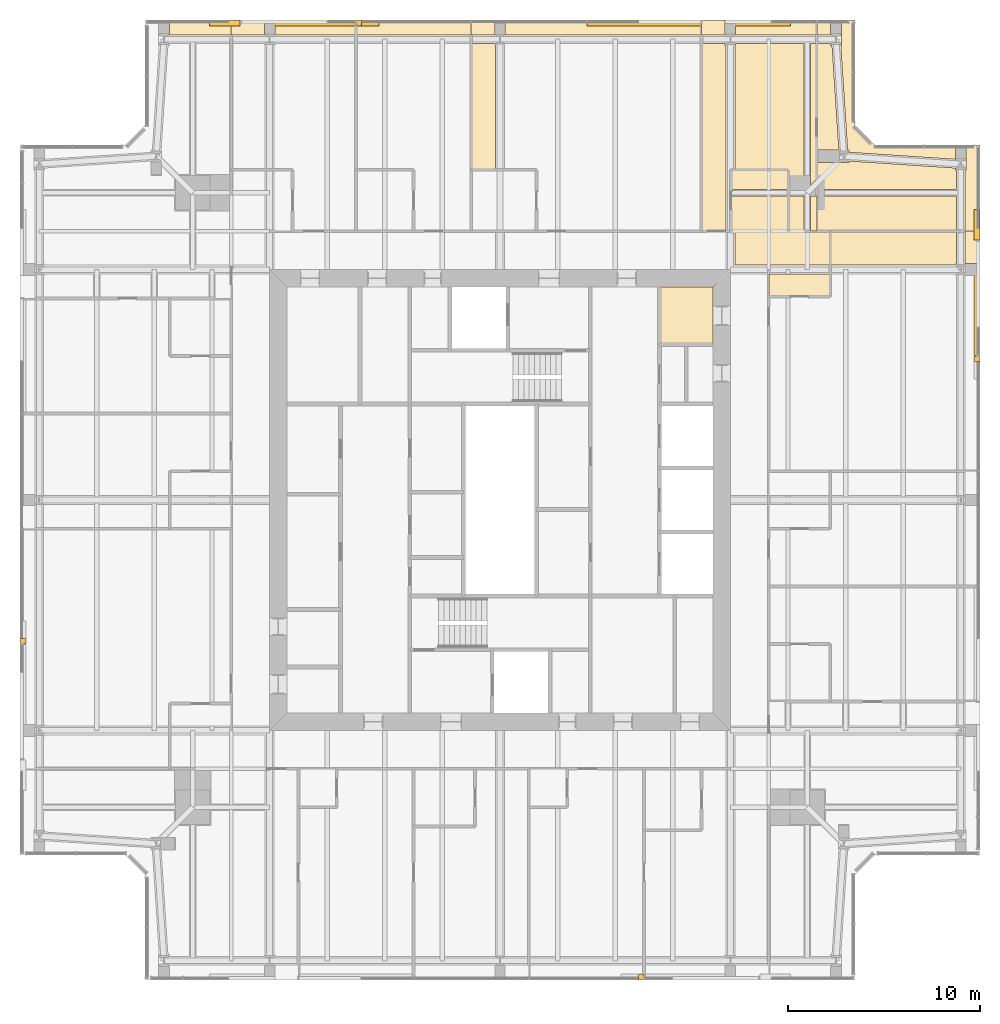
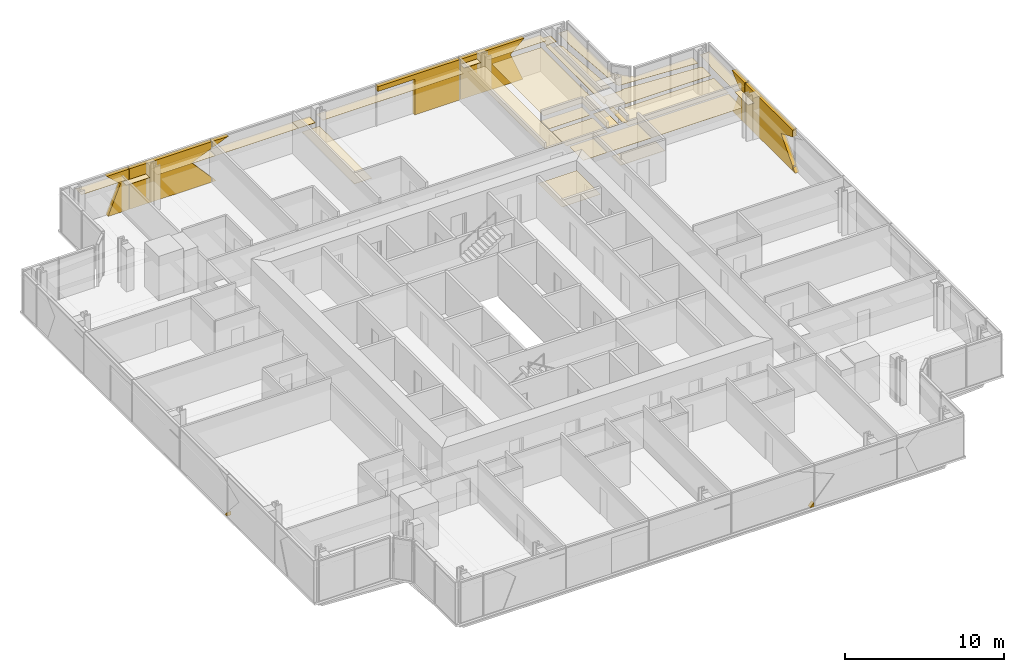
# One storey, part 18 of 18: 39 coverings.
"""IFC4 building model written with IfcOpenShell, lengths in metres."""

import ifcopenshell
import ifcopenshell.guid

model = None  # the IFC model being written
_history = None  # IfcOwnerHistory: only IFC2X3 demands one
_inside = {}  # id of a spatial element -> (the spatial element, [elements in it])
_under = {}  # id of a project, library or spatial element -> (it, [spatial elements below it])
_declared = {}  # id of a project -> (the project, [libraries it declares])
_typed = {}  # id of a type object -> (the type object, [elements of that type])
_made_of = {}  # id of a material, layer set ... -> (it, [elements and type objects made of it])


def new_model(schema):
    """Start an empty IFC model of exactly this schema.

    Asked for "IFC4X3", IfcOpenShell would pick the latest addendum, in which some entities
    have other attributes; the version numbers below select the first issue.
    IFC2X3 requires an IfcOwnerHistory on every rooted entity: one is made here for all.
    """
    global model, _history
    if schema == "IFC4X3":
        model = ifcopenshell.file(schema_version=(4, 3, 0, 0))
    else:
        model = ifcopenshell.file(schema=schema)
    _inside.clear()
    _under.clear()
    _declared.clear()
    _typed.clear()
    _made_of.clear()
    _history = None
    if model.schema == "IFC2X3":
        org = make("IfcOrganization", Name="unknown")
        user = make(
            "IfcPersonAndOrganization",
            ThePerson=make("IfcPerson", FamilyName="unknown"),
            TheOrganization=org,
        )
        app = make(
            "IfcApplication",
            ApplicationDeveloper=org,
            Version="unknown",
            ApplicationFullName="unknown",
            ApplicationIdentifier="unknown",
        )
        _history = make(
            "IfcOwnerHistory",
            OwningUser=user,
            OwningApplication=app,
            ChangeAction="ADDED",
            CreationDate=0,
        )
    return model


def make(cls, **values):
    """One entity of the class cls with the attributes given. An attribute that is None is left unset."""
    return model.create_entity(
        cls, **{name: value for name, value in values.items() if value is not None}
    )


def rooted(cls, **values):
    """An entity with a GlobalId (a new one), such as an element, a storey or a relation."""
    return make(cls, GlobalId=ifcopenshell.guid.new(), OwnerHistory=_history, **values)


def si_unit(unit_type, name, prefix=None):
    """IfcSIUnit, for example si_unit("LENGTHUNIT", "METRE", prefix="MILLI")."""
    return make("IfcSIUnit", UnitType=unit_type, Prefix=prefix, Name=name)


def assignment(units):
    """IfcUnitAssignment: the units of a project."""
    return None if units is None else make("IfcUnitAssignment", Units=units)


def point(xyz):
    """IfcCartesianPoint."""
    return None if xyz is None else make("IfcCartesianPoint", Coordinates=xyz)


def direction(xyz):
    """IfcDirection."""
    return None if xyz is None else make("IfcDirection", DirectionRatios=xyz)


def frame(location, z_axis=None, x_axis=None):
    """IfcAxis2Placement3D, a coordinate frame: its origin and axes. An axis left out is left unset."""
    return make(
        "IfcAxis2Placement3D",
        Location=point(location),
        Axis=direction(z_axis),
        RefDirection=direction(x_axis),
    )


def origin():
    """The frame at (0, 0, 0) with its axes left unset."""
    return frame((0.0, 0.0, 0.0))


def place(relative_to, where):
    """IfcLocalPlacement: puts the frame where relative to a parent placement (None: the world)."""
    return make(
        "IfcLocalPlacement", PlacementRelTo=relative_to, RelativePlacement=where
    )


def context(
    kind, dimensions, precision=None, world=None, true_north=None, identifier=None
):
    """IfcGeometricRepresentationContext, for example the 3D "Model" context."""
    return make(
        "IfcGeometricRepresentationContext",
        ContextIdentifier=identifier,
        ContextType=kind,
        CoordinateSpaceDimension=dimensions,
        Precision=precision,
        WorldCoordinateSystem=world,
        TrueNorth=true_north,
    )


def subcontext(parent, identifier, kind, view, scale=None):
    """IfcGeometricRepresentationSubContext, for example "Body" below "Model"."""
    return make(
        "IfcGeometricRepresentationSubContext",
        ContextIdentifier=identifier,
        ContextType=kind,
        ParentContext=parent,
        TargetScale=scale,
        TargetView=view,
    )


def project(units=None, contexts=None):
    """IfcProject with its units and contexts."""
    return rooted(
        "IfcProject",
        Name="project",
        RepresentationContexts=contexts,
        UnitsInContext=assignment(units),
    )


def spatial(cls, under=None, at=None, **own):
    """A site, building, storey or space (cls), placed at a placement, below another one or the project."""
    s = rooted(cls, ObjectPlacement=at, **own)
    if under is not None:
        _under.setdefault(under.id(), (under, []))[1].append(s)
    return s


def polyline(points):
    """IfcPolyline through the points."""
    return make("IfcPolyline", Points=[point(p) for p in points])


def outline(outer, holes=None, kind="AREA"):
    """IfcArbitraryClosedProfileDef: a profile drawn as a closed curve; with holes, ...WithVoids."""
    if holes is None:
        return make("IfcArbitraryClosedProfileDef", ProfileType=kind, OuterCurve=outer)
    return make(
        "IfcArbitraryProfileDefWithVoids",
        ProfileType=kind,
        OuterCurve=outer,
        InnerCurves=holes,
    )


def extrude(swept, where, along, depth):
    """IfcExtrudedAreaSolid: the profile swept, set in the frame where, extruded along a direction by depth."""
    return make(
        "IfcExtrudedAreaSolid",
        SweptArea=swept,
        Position=where,
        ExtrudedDirection=direction(along),
        Depth=depth,
    )


def shape(context_of_items, identifier, shape_type, items):
    """IfcShapeRepresentation: the items that make up one representation, for example the "Body"."""
    return make(
        "IfcShapeRepresentation",
        ContextOfItems=context_of_items,
        RepresentationIdentifier=identifier,
        RepresentationType=shape_type,
        Items=items,
    )


def material(Name=None, Category=None):
    """IfcMaterial."""
    return make("IfcMaterial", Name=Name, Category=Category)


def layer(
    of_material, thickness, ventilated=None, Name=None, Category=None, Priority=None
):
    """IfcMaterialLayer: one layer of a wall or slab, of a material (None: an air gap)."""
    return make(
        "IfcMaterialLayer",
        Material=of_material,
        LayerThickness=thickness,
        IsVentilated=ventilated,
        Name=Name,
        Category=Category,
        Priority=Priority,
    )


def layer_set(layers, Name=None):
    """IfcMaterialLayerSet."""
    return make("IfcMaterialLayerSet", MaterialLayers=layers, LayerSetName=Name)


def made_of(thing, what):
    """Note that an element or type object is made of a material, layer set ...; save() writes the relation."""
    if what is not None:
        _made_of.setdefault(what.id(), (what, []))[1].append(thing)
    return thing


def type_object(cls, material=None, **own):
    """A type object (cls), such as IfcWallType, which elements share."""
    return made_of(rooted(cls, **own), material)


def element(
    cls,
    number,
    at=None,
    inside=None,
    cuts=None,
    type_object=None,
    material=None,
    context=None,
    identifier="Body",
    shape_type=None,
    held_by="IfcProductDefinitionShape",
    body=None,
    shapes=None,
    **own,
):
    """One element of the class cls, such as IfcWall. Its Tag is "e" and its number.

    at: its placement. inside: the storey or other place that contains it. cuts: it is an
    opening in that element (IfcRelVoidsElement). A single representation is given by context,
    identifier, shape_type and body (its items); several are given by shapes. held_by: the class
    of the entity that holds the representations. save() writes the other relations.
    """
    e = rooted(cls, Tag="e%d" % number, ObjectPlacement=at, **own)
    if body is not None:
        shapes = [shape(context, identifier, shape_type, body)]
    if shapes is not None:
        e.Representation = make(held_by, Representations=shapes)
    if inside is not None:
        _inside.setdefault(inside.id(), (inside, []))[1].append(e)
    if cuts is not None:
        rooted(
            "IfcRelVoidsElement", RelatingBuildingElement=cuts, RelatedOpeningElement=e
        )
    if type_object is not None:
        _typed.setdefault(type_object.id(), (type_object, []))[1].append(e)
    return made_of(e, material)


def aggregate(whole, parts):
    """IfcRelAggregates: a whole, such as a stair, and the parts it consists of."""
    return rooted("IfcRelAggregates", RelatingObject=whole, RelatedObjects=parts)


def save(model, path):
    """Write the relations noted so far, then the file.

    IfcRelAggregates (storeys below a building ...), IfcRelContainedInSpatialStructure (elements
    in a storey), IfcRelDefinesByType, IfcRelAssociatesMaterial and IfcRelDeclares: one each for
    every whole, place, type object, material and project.
    """
    for whole, parts in _under.values():
        aggregate(whole, parts)
    for where, things in _inside.values():
        rooted(
            "IfcRelContainedInSpatialStructure",
            RelatedElements=things,
            RelatingStructure=where,
        )
    for kind, things in _typed.values():
        rooted("IfcRelDefinesByType", RelatedObjects=things, RelatingType=kind)
    for what, things in _made_of.values():
        rooted("IfcRelAssociatesMaterial", RelatedObjects=things, RelatingMaterial=what)
    for by, libraries in _declared.values():
        rooted("IfcRelDeclares", RelatingContext=by, RelatedDefinitions=libraries)
    model.write(path)


model = new_model("IFC4")

# Units and contexts
model_context = context("Model", 3, precision=1e-05, world=origin(), true_north=direction((0.0, 1.0)))
body_context = subcontext(model_context, "Body", "Model", "MODEL_VIEW")
ifc_project = project(units=[si_unit("LENGTHUNIT", "METRE"), si_unit("AREAUNIT", "SQUARE_METRE"), si_unit("VOLUMEUNIT", "CUBIC_METRE"), si_unit("PLANEANGLEUNIT", "RADIAN"), si_unit("MASSUNIT", "GRAM", prefix="KILO")], contexts=[model_context])

# Site, building, storey
site_placement = place(None, origin())
site = spatial("IfcSite", under=ifc_project, at=site_placement, CompositionType="ELEMENT")
building_placement = place(site_placement, origin())
building = spatial("IfcBuilding", under=site, at=building_placement, Name="Fenwick Lantern Interchange", CompositionType="ELEMENT")
storey_placement = place(building_placement, frame((0.0, 0.0, 293.39990234375)))
storey = spatial("IfcBuildingStorey", under=building, at=storey_placement, Name="L71", CompositionType="ELEMENT", Elevation=293.39990234375)

# Coverings
ifc_material_1 = material(Name="Granite cladding, warm grey flamed finish, on aluminium carrier frame", Category="masonry")
ifc_layer_1 = layer(ifc_material_1, 0.300048828125)
ifc_layer_set_1 = layer_set([ifc_layer_1], Name="BRACE CASING PANEL 300")
covering_type_1 = type_object("IfcCoveringType", Name="BRACE CASING PANEL 300", PredefinedType="CLADDING", material=ifc_layer_set_1)
for number, where, z_axis, x_axis, name in (
    (1, (6.60009765625, 0.10009765625, 0.0), (0.0, 0.0, 1.0), (1.0, 0.0, 0.0), "Brace casing 01 bay 04b"),
    (2, (49.89990234375, 6.60009765625, 0.0), (0.0, 0.0, 1.0), (0.0, 1.0, 0.0), "Brace casing 05 bay 04b"),
):
    element("IfcCovering", number, at=place(storey_placement, frame(where, z_axis=z_axis, x_axis=x_axis)), inside=storey, type_object=covering_type_1, Name=name, PredefinedType="CLADDING", context=body_context, shape_type="SweptSolid", body=[
        extrude(outline(polyline([(25.6064453125, 0.0), (25.8701171875, 0.0), (25.8701171875, 0.296142578125), (25.6064453125, 0.0)])), frame((0.0, 0.2099609375, 0.0), z_axis=(0.0, -1.0, 0.0), x_axis=(1.0, 0.0, 0.0)), (0.0, 0.0, 1.0), 0.300048828125),
    ])
covering_1_placement = place(storey_placement, frame((49.89990234375, 6.60009765625, 0.0), z_axis=(0.0, 0.0, 1.0), x_axis=(0.0, 1.0, 0.0)))
element("IfcCovering", 3, at=covering_1_placement, inside=storey, type_object=covering_type_1, Name="Brace casing 05 bay 05a", PredefinedType="CLADDING", context=body_context, shape_type="SweptSolid", body=[
    extrude(outline(polyline([(25.929931640625, 0.0), (31.8701171875, 0.0), (31.8701171875, 3.10009765625), (25.929931640625, 3.10009765625), (25.929931640625, 2.591552734375), (27.37646484375, 1.989013671875), (25.929931640625, 0.363525390625), (25.929931640625, 0.0)])), frame((0.0, 0.2099609375, 0.0), z_axis=(0.0, -1.0, 0.0), x_axis=(1.0, 0.0, 0.0)), (0.0, 0.0, 1.0), 0.300048828125),
])
covering_2_placement = place(storey_placement, frame((49.89990234375, 6.60009765625, 0.0), z_axis=(0.0, 0.0, 1.0), x_axis=(0.0, 1.0, 0.0)))
element("IfcCovering", 4, at=covering_2_placement, inside=storey, type_object=covering_type_1, Name="Brace casing 05 bay 06a", PredefinedType="CLADDING", context=body_context, shape_type="SweptSolid", body=[
    extrude(outline(polyline([(31.929931640625, 0.0), (33.4365234375, 0.0), (32.5419921875, 2.193603515625), (33.5390625, 3.10009765625), (31.929931640625, 3.10009765625), (31.929931640625, 0.0)])), frame((0.0, 0.2099609375, 0.0), z_axis=(0.0, -1.0, 0.0), x_axis=(1.0, 0.0, 0.0)), (0.0, 0.0, 1.0), 0.300048828125),
])
covering_3_placement = place(storey_placement, frame((43.39990234375, 49.89990234375, 0.0), z_axis=(0.0, 0.0, 1.0), x_axis=(-1.0, 0.0, 0.0)))
element("IfcCovering", 5, at=covering_3_placement, inside=storey, type_object=covering_type_1, Name="Brace casing 09 bay 01a", PredefinedType="CLADDING", context=body_context, shape_type="SweptSolid", body=[
    extrude(outline(polyline([(3.36328125, 0.0), (7.8701171875, 0.0), (7.8701171875, 3.10009765625), (3.260986328125, 3.10009765625), (4.258056640625, 2.193603515625), (3.36328125, 0.0)])), frame((0.0, 0.2099609375, 0.0), z_axis=(0.0, -1.0, 0.0), x_axis=(1.0, 0.0, 0.0)), (0.0, 0.0, 1.0), 0.300048828125),
])
covering_4_placement = place(storey_placement, frame((43.39990234375, 49.89990234375, 0.0), z_axis=(0.0, 0.0, 1.0), x_axis=(-1.0, 0.0, 0.0)))
element("IfcCovering", 6, at=covering_4_placement, inside=storey, type_object=covering_type_1, Name="Brace casing 09 bay 02a", PredefinedType="CLADDING", context=body_context, shape_type="SweptSolid", body=[
    extrude(outline(polyline([(7.929931640625, 0.0), (11.193603515625, 0.0), (11.193603515625, 2.7265625), (13.8701171875, 2.7265625), (13.8701171875, 3.10009765625), (7.929931640625, 3.10009765625), (7.929931640625, 0.0)])), frame((0.0, 0.2099609375, 0.0), z_axis=(0.0, -1.0, 0.0), x_axis=(1.0, 0.0, 0.0)), (0.0, 0.0, 1.0), 0.300048828125),
])
covering_5_placement = place(storey_placement, frame((43.39990234375, 49.89990234375, 2.61669921875), z_axis=(0.0, 0.0, 1.0), x_axis=(-1.0, 0.0, 0.0)))
element("IfcCovering", 7, at=covering_5_placement, inside=storey, type_object=covering_type_1, Name="Brace casing 09 bay 04a", PredefinedType="CLADDING", context=body_context, shape_type="SweptSolid", body=[
    extrude(outline(polyline([(25.8701171875, 0.0), (25.8701171875, 0.4833984375), (24.709716796875, 0.4833984375), (25.8701171875, 0.0)])), frame((0.0, 0.2099609375, 0.0), z_axis=(0.0, -1.0, 0.0), x_axis=(1.0, 0.0, 0.0)), (0.0, 0.0, 1.0), 0.300048828125),
])
covering_6_placement = place(storey_placement, frame((43.39990234375, 49.89990234375, 0.0), z_axis=(0.0, 0.0, 1.0), x_axis=(-1.0, 0.0, 0.0)))
element("IfcCovering", 8, at=covering_6_placement, inside=storey, type_object=covering_type_1, Name="Brace casing 09 bay 04b", PredefinedType="CLADDING", context=body_context, shape_type="SweptSolid", body=[
    extrude(outline(polyline([(25.6064453125, 0.0), (25.8701171875, 0.0), (25.8701171875, 0.296142578125), (25.6064453125, 0.0)])), frame((0.0, 0.2099609375, 0.0), z_axis=(0.0, -1.0, 0.0), x_axis=(1.0, 0.0, 0.0)), (0.0, 0.0, 1.0), 0.300048828125),
])
covering_7_placement = place(storey_placement, frame((43.39990234375, 49.89990234375, 0.0), z_axis=(0.0, 0.0, 1.0), x_axis=(-1.0, 0.0, 0.0)))
element("IfcCovering", 9, at=covering_7_placement, inside=storey, type_object=covering_type_1, Name="Brace casing 09 bay 05a", PredefinedType="CLADDING", context=body_context, shape_type="SweptSolid", body=[
    extrude(outline(polyline([(25.929931640625, 0.0), (31.8701171875, 0.0), (31.8701171875, 3.10009765625), (25.929931640625, 3.10009765625), (25.929931640625, 2.591552734375), (27.37646484375, 1.989013671875), (25.929931640625, 0.363525390625), (25.929931640625, 0.0)])), frame((0.0, 0.2099609375, 0.0), z_axis=(0.0, -1.0, 0.0), x_axis=(1.0, 0.0, 0.0)), (0.0, 0.0, 1.0), 0.300048828125),
])
covering_8_placement = place(storey_placement, frame((43.39990234375, 49.89990234375, 0.0), z_axis=(0.0, 0.0, 1.0), x_axis=(-1.0, 0.0, 0.0)))
element("IfcCovering", 10, at=covering_8_placement, inside=storey, type_object=covering_type_1, Name="Brace casing 09 bay 06a", PredefinedType="CLADDING", context=body_context, shape_type="SweptSolid", body=[
    extrude(outline(polyline([(31.929931640625, 0.0), (33.4365234375, 0.0), (32.5419921875, 2.193603515625), (33.5390625, 3.10009765625), (31.929931640625, 3.10009765625), (31.929931640625, 0.0)])), frame((0.0, 0.2099609375, 0.0), z_axis=(0.0, -1.0, 0.0), x_axis=(1.0, 0.0, 0.0)), (0.0, 0.0, 1.0), 0.300048828125),
])
covering_9_placement = place(storey_placement, frame((0.10009765625, 43.39990234375, 0.0), z_axis=(0.0, 0.0, 1.0), x_axis=(0.0, -1.0, 0.0)))
element("IfcCovering", 11, at=covering_9_placement, inside=storey, type_object=covering_type_1, Name="Brace casing 13 bay 04b", PredefinedType="CLADDING", context=body_context, shape_type="SweptSolid", body=[
    extrude(outline(polyline([(25.6064453125, 0.0), (25.8701171875, 0.0), (25.8701171875, 0.296142578125), (25.6064453125, 0.0)])), frame((0.0, 0.2099609375, 0.0), z_axis=(0.0, -1.0, 0.0), x_axis=(1.0, 0.0, 0.0)), (0.0, 0.0, 1.0), 0.300048828125),
])
ifc_material_2 = material(Name="Moisture resistant gypsum board on suspended frame, painted")
ifc_layer_2 = layer(ifc_material_2, 0.014892578125)
ifc_layer_set_2 = layer_set([ifc_layer_2], Name="MOISTURE RESISTANT CEILING 15")
covering_type_2 = type_object("IfcCoveringType", Name="MOISTURE RESISTANT CEILING 15", PredefinedType="CEILING", material=ifc_layer_set_2)
covering_10_placement = place(storey_placement, frame((0.0, 0.0, 2.60009765625)))
element("IfcCovering", 12, at=covering_10_placement, inside=storey, type_object=covering_type_2, Name="Accessible WC ceiling", PredefinedType="CEILING", context=body_context, shape_type="SweptSolid", body=[
    extrude(outline(polyline([(36.10009765625, 36.10009765625), (33.300048828125, 36.10009765625), (33.300048828125, 33.10009765625), (36.10009765625, 33.10009765625), (36.10009765625, 36.10009765625)])), origin(), (0.0, 0.0, 1.0), 0.014892578125),
])
covering_11_placement = place(storey_placement, frame((0.0, 0.0, 2.289306640625)))
element("IfcCovering", 13, at=covering_11_placement, inside=storey, type_object=covering_type_2, Name="En-suite 7105 ceiling", PredefinedType="CEILING", context=body_context, shape_type="SweptSolid", body=[
    extrude(outline(polyline([(39.0, 39.0), (39.0, 37.232177734375), (42.199951171875, 37.232177734375), (42.199951171875, 39.0), (39.0, 39.0)])), origin(), (0.0, 0.0, 1.0), 0.014892578125),
])
covering_12_placement = place(storey_placement, frame((0.0, 0.0, 2.289306640625)))
element("IfcCovering", 14, at=covering_12_placement, inside=storey, type_object=covering_type_2, Name="En-suite 7105 ceiling", PredefinedType="CEILING", context=body_context, shape_type="SweptSolid", body=[
    extrude(outline(polyline([(42.199951171875, 35.60009765625), (42.199951171875, 36.767822265625), (39.0, 36.767822265625), (39.0, 35.60009765625), (42.199951171875, 35.60009765625)])), origin(), (0.0, 0.0, 1.0), 0.014892578125),
])
covering_13_placement = place(storey_placement, frame((0.0, 0.0, 2.400146484375)))
element("IfcCovering", 15, at=covering_13_placement, inside=storey, type_object=covering_type_2, Name="En-suite 7106 ceiling", PredefinedType="CEILING", context=body_context, shape_type="SweptSolid", body=[
    extrude(outline(polyline([(40.02490234375, 39.0), (40.02490234375, 40.833984375), (37.02490234375, 40.833984375), (37.02490234375, 39.0), (40.02490234375, 39.0)])), origin(), (0.0, 0.0, 1.0), 0.014892578125),
])
covering_14_placement = place(storey_placement, frame((0.0, 0.0, 2.400146484375)))
element("IfcCovering", 16, at=covering_14_placement, inside=storey, type_object=covering_type_2, Name="En-suite 7106 ceiling", PredefinedType="CEILING", context=body_context, shape_type="SweptSolid", body=[
    extrude(outline(polyline([(37.02490234375, 42.199951171875), (37.02490234375, 41.166015625), (40.02490234375, 41.166015625), (40.02490234375, 42.199951171875), (37.02490234375, 42.199951171875)])), origin(), (0.0, 0.0, 1.0), 0.014892578125),
])
ifc_material_3 = material(Name="Gypsum plasterboard on suspended frame, painted")
ifc_layer_3 = layer(ifc_material_3, 0.014892578125)
ifc_layer_set_3 = layer_set([ifc_layer_3], Name="PLASTERBOARD CEILING 15")
covering_type_3 = type_object("IfcCoveringType", Name="PLASTERBOARD CEILING 15", PredefinedType="CEILING", material=ifc_layer_set_3)
covering_15_placement = place(storey_placement, frame((0.0, 0.0, 2.289306640625)))
element("IfcCovering", 17, at=covering_15_placement, inside=storey, type_object=covering_type_3, Name="Corridor ceiling", PredefinedType="CEILING", context=body_context, shape_type="SweptSolid", body=[
    extrude(outline(polyline([(39.0, 39.0), (37.232177734375, 39.0), (37.232177734375, 37.232177734375), (39.0, 37.232177734375), (39.0, 39.0)])), origin(), (0.0, 0.0, 1.0), 0.014892578125),
])
covering_16_placement = place(storey_placement, frame((0.0, 0.0, 2.289306640625)))
element("IfcCovering", 18, at=covering_16_placement, inside=storey, type_object=covering_type_3, Name="Guest suite 7105 ceiling", PredefinedType="CEILING", context=body_context, shape_type="SweptSolid", body=[
    extrude(outline(polyline([(48.72900390625, 37.3154296875), (48.775634765625, 37.3154296875), (48.775634765625, 39.0), (42.199951171875, 39.0), (42.199951171875, 37.232177734375), (48.72900390625, 37.232177734375), (48.72900390625, 37.3154296875)])), origin(), (0.0, 0.0, 1.0), 0.014892578125),
])
covering_17_placement = place(storey_placement, frame((0.0, 0.0, 2.289306640625)))
element("IfcCovering", 19, at=covering_17_placement, inside=storey, type_object=covering_type_3, Name="Guest suite 7105 ceiling", PredefinedType="CEILING", context=body_context, shape_type="SweptSolid", body=[
    extrude(outline(polyline([(49.224365234375, 37.3154296875), (50.0, 37.3154296875), (50.0, 39.0), (49.224365234375, 39.0), (49.224365234375, 37.3154296875)])), origin(), (0.0, 0.0, 1.0), 0.014892578125),
])
covering_18_placement = place(storey_placement, frame((0.0, 0.0, 2.378173828125)))
element("IfcCovering", 20, at=covering_18_placement, inside=storey, type_object=covering_type_3, Name="Guest suite 7106 sitting room ceiling", PredefinedType="CEILING", context=body_context, shape_type="SweptSolid", body=[
    extrude(outline(polyline([(41.5, 39.0), (48.775634765625, 39.0), (48.775634765625, 40.833984375), (41.5, 40.833984375), (41.5, 39.0)])), origin(), (0.0, 0.0, 1.0), 0.014892578125),
])
covering_19_placement = place(storey_placement, frame((0.0, 0.0, 2.378173828125)))
element("IfcCovering", 21, at=covering_19_placement, inside=storey, type_object=covering_type_3, Name="Guest suite 7106 sitting room ceiling", PredefinedType="CEILING", context=body_context, shape_type="SweptSolid", body=[
    extrude(outline(polyline([(48.775634765625, 42.16552734375), (48.72265625, 42.16552734375), (48.72265625, 42.293212890625), (43.17724609375, 42.656982421875), (43.17724609375, 42.5654296875), (41.5, 42.5654296875), (41.5, 41.166015625), (48.775634765625, 41.166015625), (48.775634765625, 42.16552734375)])), origin(), (0.0, 0.0, 1.0), 0.014892578125),
])
covering_20_placement = place(storey_placement, frame((0.0, 0.0, 2.378173828125)))
element("IfcCovering", 22, at=covering_20_placement, inside=storey, type_object=covering_type_3, Name="Guest suite 7106 sitting room ceiling", PredefinedType="CEILING", context=body_context, shape_type="SweptSolid", body=[
    extrude(outline(polyline([(43.17724609375, 43.234375), (43.17724609375, 43.106689453125), (48.72265625, 42.7431640625), (48.72265625, 43.5), (44.5, 43.5), (43.5, 44.5), (43.5, 50.0), (42.77734375, 50.0), (42.77734375, 48.66552734375), (42.746826171875, 48.66552734375), (43.10302734375, 43.234375), (43.17724609375, 43.234375)])), origin(), (0.0, 0.0, 1.0), 0.014892578125),
])
covering_21_placement = place(storey_placement, frame((0.0, 0.0, 2.378173828125)))
element("IfcCovering", 23, at=covering_21_placement, inside=storey, type_object=covering_type_3, Name="Guest suite 7106 sitting room ceiling", PredefinedType="CEILING", context=body_context, shape_type="SweptSolid", body=[
    extrude(outline(polyline([(41.5, 43.234375), (42.653076171875, 43.234375), (42.296875, 48.66552734375), (42.22265625, 48.66552734375), (42.22265625, 48.775634765625), (41.5, 48.775634765625), (41.5, 43.234375)])), origin(), (0.0, 0.0, 1.0), 0.014892578125),
])
covering_22_placement = place(storey_placement, frame((0.0, 0.0, 2.378173828125)))
element("IfcCovering", 24, at=covering_22_placement, inside=storey, type_object=covering_type_3, Name="Guest suite 7106 sitting room ceiling", PredefinedType="CEILING", context=body_context, shape_type="SweptSolid", body=[
    extrude(outline(polyline([(49.27734375, 42.16552734375), (49.224365234375, 42.16552734375), (49.224365234375, 39.0), (50.0, 39.0), (50.0, 43.5), (49.27734375, 43.5), (49.27734375, 42.16552734375)])), origin(), (0.0, 0.0, 1.0), 0.014892578125),
])
covering_23_placement = place(storey_placement, frame((0.0, 0.0, 2.378173828125)))
element("IfcCovering", 25, at=covering_23_placement, inside=storey, type_object=covering_type_3, Name="Guest suite 7106 sitting room ceiling", PredefinedType="CEILING", context=body_context, shape_type="SweptSolid", body=[
    extrude(outline(polyline([(41.5, 50.0), (41.5, 49.224365234375), (42.22265625, 49.224365234375), (42.22265625, 50.0), (41.5, 50.0)])), origin(), (0.0, 0.0, 1.0), 0.014892578125),
])
covering_24_placement = place(storey_placement, frame((0.0, 0.0, 2.7001953125)))
element("IfcCovering", 26, at=covering_24_placement, inside=storey, type_object=covering_type_3, Name="Guest suite 7106 bedroom ceiling", PredefinedType="CEILING", context=body_context, shape_type="SweptSolid", body=[
    extrude(outline(polyline([(37.27099609375, 48.6845703125), (37.232177734375, 48.6845703125), (37.232177734375, 42.199951171875), (40.02490234375, 42.199951171875), (40.02490234375, 41.166015625), (40.833984375, 41.166015625), (40.833984375, 48.775634765625), (37.27099609375, 48.775634765625), (37.27099609375, 48.6845703125)])), origin(), (0.0, 0.0, 1.0), 0.014892578125),
])
covering_25_placement = place(storey_placement, frame((0.0, 0.0, 2.7001953125)))
element("IfcCovering", 27, at=covering_25_placement, inside=storey, type_object=covering_type_3, Name="Guest suite 7106 bedroom ceiling", PredefinedType="CEILING", context=body_context, shape_type="SweptSolid", body=[
    extrude(outline(polyline([(36.72900390625, 48.6845703125), (36.72900390625, 48.775634765625), (35.5, 48.775634765625), (35.5, 39.0), (36.767822265625, 39.0), (36.767822265625, 48.6845703125), (36.72900390625, 48.6845703125)])), origin(), (0.0, 0.0, 1.0), 0.014892578125),
])
covering_26_placement = place(storey_placement, frame((0.0, 0.0, 2.7001953125)))
element("IfcCovering", 28, at=covering_26_placement, inside=storey, type_object=covering_type_3, Name="Guest suite 7106 bedroom ceiling", PredefinedType="CEILING", context=body_context, shape_type="SweptSolid", body=[
    extrude(outline(polyline([(37.27099609375, 50.0), (37.27099609375, 49.224365234375), (41.5, 49.224365234375), (41.5, 50.0), (37.27099609375, 50.0)])), origin(), (0.0, 0.0, 1.0), 0.014892578125),
])
covering_27_placement = place(storey_placement, frame((0.0, 0.0, 2.7001953125)))
element("IfcCovering", 29, at=covering_27_placement, inside=storey, type_object=covering_type_3, Name="Guest suite 7106 bedroom ceiling", PredefinedType="CEILING", context=body_context, shape_type="SweptSolid", body=[
    extrude(outline(polyline([(41.5, 41.716796875), (41.5, 48.775634765625), (41.166015625, 48.775634765625), (41.166015625, 41.3828125), (41.5, 41.716796875)])), origin(), (0.0, 0.0, 1.0), 0.014892578125),
])
covering_28_placement = place(storey_placement, frame((0.0, 0.0, 2.7001953125)))
element("IfcCovering", 30, at=covering_28_placement, inside=storey, type_object=covering_type_3, Name="Guest suite 7106 bedroom ceiling", PredefinedType="CEILING", context=body_context, shape_type="SweptSolid", body=[
    extrude(outline(polyline([(40.02490234375, 39.0), (40.833984375, 39.0), (40.833984375, 40.833984375), (40.02490234375, 40.833984375), (40.02490234375, 39.0)])), origin(), (0.0, 0.0, 1.0), 0.014892578125),
])
covering_29_placement = place(storey_placement, frame((0.0, 0.0, 2.7001953125)))
element("IfcCovering", 31, at=covering_29_placement, inside=storey, type_object=covering_type_3, Name="Guest suite 7106 bedroom ceiling", PredefinedType="CEILING", context=body_context, shape_type="SweptSolid", body=[
    extrude(outline(polyline([(36.72900390625, 50.0), (35.5, 50.0), (35.5, 49.224365234375), (36.72900390625, 49.224365234375), (36.72900390625, 50.0)])), origin(), (0.0, 0.0, 1.0), 0.014892578125),
])
covering_30_placement = place(storey_placement, frame((0.0, 0.0, 2.7001953125)))
element("IfcCovering", 32, at=covering_30_placement, inside=storey, type_object=covering_type_3, Name="Guest suite 7106 bedroom ceiling", PredefinedType="CEILING", context=body_context, shape_type="SweptSolid", body=[
    extrude(outline(polyline([(41.5, 39.0), (41.5, 40.833984375), (41.166015625, 40.833984375), (41.166015625, 39.0), (41.5, 39.0)])), origin(), (0.0, 0.0, 1.0), 0.014892578125),
])
covering_31_placement = place(storey_placement, frame((0.0, 0.0, 2.289306640625)))
element("IfcCovering", 33, at=covering_31_placement, inside=storey, type_object=covering_type_3, Name="Guest suite 7107 ceiling", PredefinedType="CEILING", context=body_context, shape_type="SweptSolid", body=[
    extrude(outline(polyline([(24.73779296875, 48.71240234375), (24.73779296875, 48.775634765625), (23.5, 48.775634765625), (23.5, 42.199951171875), (24.767822265625, 42.199951171875), (24.767822265625, 48.71240234375), (24.73779296875, 48.71240234375)])), origin(), (0.0, 0.0, 1.0), 0.014892578125),
])
covering_32_placement = place(storey_placement, frame((0.0, 0.0, 2.289306640625)))
element("IfcCovering", 34, at=covering_32_placement, inside=storey, type_object=covering_type_3, Name="Guest suite 7107 ceiling", PredefinedType="CEILING", context=body_context, shape_type="SweptSolid", body=[
    extrude(outline(polyline([(25.26220703125, 50.0), (25.26220703125, 49.224365234375), (35.5, 49.224365234375), (35.5, 50.0), (25.26220703125, 50.0)])), origin(), (0.0, 0.0, 1.0), 0.014892578125),
])
covering_33_placement = place(storey_placement, frame((0.0, 0.0, 2.289306640625)))
element("IfcCovering", 35, at=covering_33_placement, inside=storey, type_object=covering_type_3, Name="Guest suite 7107 ceiling", PredefinedType="CEILING", context=body_context, shape_type="SweptSolid", body=[
    extrude(outline(polyline([(24.73779296875, 49.224365234375), (24.73779296875, 50.0), (23.5, 50.0), (23.5, 49.224365234375), (24.73779296875, 49.224365234375)])), origin(), (0.0, 0.0, 1.0), 0.014892578125),
])
covering_34_placement = place(storey_placement, frame((0.0, 0.0, 2.289306640625)))
element("IfcCovering", 36, at=covering_34_placement, inside=storey, type_object=covering_type_3, Name="Guest room 7108 ceiling", PredefinedType="CEILING", context=body_context, shape_type="SweptSolid", body=[
    extrude(outline(polyline([(23.5, 50.0), (17.5, 50.0), (17.5, 49.224365234375), (23.5, 49.224365234375), (23.5, 50.0)])), origin(), (0.0, 0.0, 1.0), 0.014892578125),
])
covering_35_placement = place(storey_placement, frame((0.0, 0.0, 2.289306640625)))
element("IfcCovering", 37, at=covering_35_placement, inside=storey, type_object=covering_type_3, Name="Guest room 7109 ceiling", PredefinedType="CEILING", context=body_context, shape_type="SweptSolid", body=[
    extrude(outline(polyline([(13.27099609375, 50.0), (13.27099609375, 49.224365234375), (17.5, 49.224365234375), (17.5, 50.0), (13.27099609375, 50.0)])), origin(), (0.0, 0.0, 1.0), 0.014892578125),
])
covering_36_placement = place(storey_placement, frame((0.0, 0.0, 2.289306640625)))
element("IfcCovering", 38, at=covering_36_placement, inside=storey, type_object=covering_type_3, Name="Guest room 7109 ceiling", PredefinedType="CEILING", context=body_context, shape_type="SweptSolid", body=[
    extrude(outline(polyline([(12.72900390625, 49.224365234375), (12.72900390625, 50.0), (11.0, 50.0), (11.0, 49.224365234375), (12.72900390625, 49.224365234375)])), origin(), (0.0, 0.0, 1.0), 0.014892578125),
])
covering_37_placement = place(storey_placement, frame((0.0, 0.0, 2.7001953125)))
element("IfcCovering", 39, at=covering_37_placement, inside=storey, type_object=covering_type_3, Name="Guest suite 7110 sitting room ceiling", PredefinedType="CEILING", context=body_context, shape_type="SweptSolid", body=[
    extrude(outline(polyline([(7.77734375, 50.0), (7.77734375, 49.224365234375), (11.0, 49.224365234375), (11.0, 50.0), (7.77734375, 50.0)])), origin(), (0.0, 0.0, 1.0), 0.014892578125),
])

save(model, "model.ifc")
